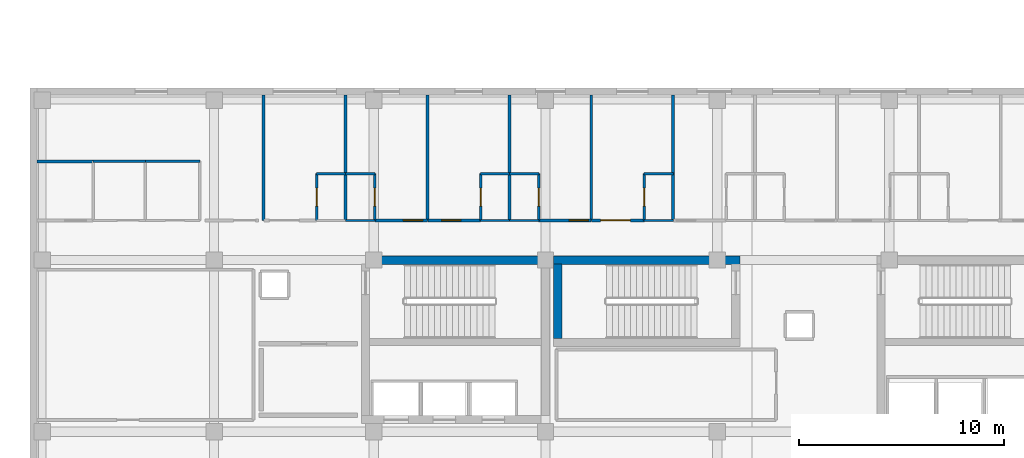
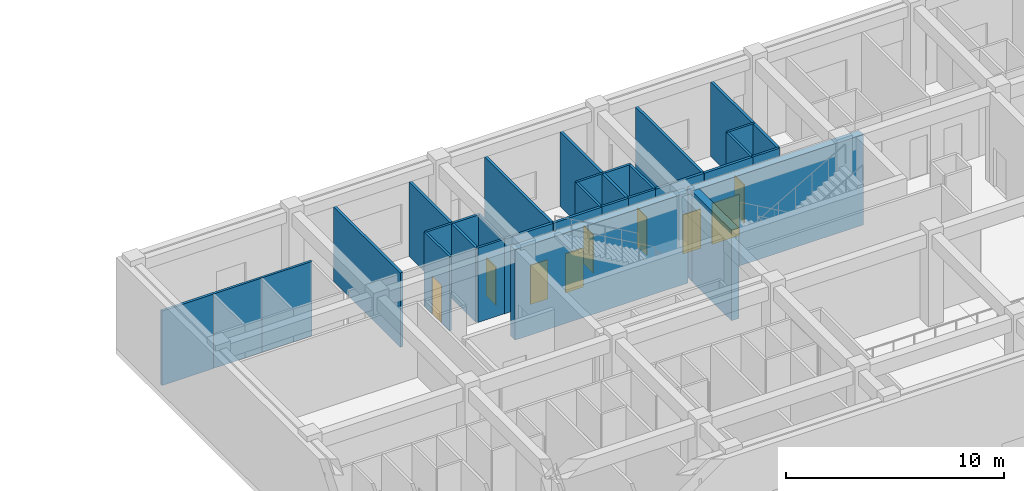
# One storey, part 103 of 139: 30 walls, 9 doors, 9 openings.
"""IFC4 building model written with IfcOpenShell, lengths in metres."""

from ifc_helpers import new_model, si_unit, direction, frame, frame_2d, origin, place, context, subcontext, project, spatial, rectangle, extrude, material, layer, layer_set, type_object, element, fill, save


model = new_model("IFC4")

# Units and contexts
model_context = context("Model", 3, precision=1e-05, world=origin(), true_north=direction((0.0, 1.0)))
body_context = subcontext(model_context, "Body", "Model", "MODEL_VIEW")
ifc_project = project(units=[si_unit("LENGTHUNIT", "METRE"), si_unit("AREAUNIT", "SQUARE_METRE"), si_unit("VOLUMEUNIT", "CUBIC_METRE"), si_unit("PLANEANGLEUNIT", "RADIAN"), si_unit("MASSUNIT", "GRAM", prefix="KILO")], contexts=[model_context])

# Site, building, storey
site_placement = place(None, origin())
site = spatial("IfcSite", under=ifc_project, at=site_placement, CompositionType="ELEMENT")
building_placement = place(site_placement, origin())
building = spatial("IfcBuilding", under=site, at=building_placement, Name="Zayran Congress Hotel", CompositionType="ELEMENT")
storey_placement = place(building_placement, frame((0.0, 0.0, 5.39990234375)))
storey = spatial("IfcBuildingStorey", under=building, at=storey_placement, Name="L01", CompositionType="ELEMENT", Elevation=5.39990234375)

# Walls
ifc_material_1 = material(Name="Concrete C40/50", Category="concrete")
ifc_layer_1 = layer(ifc_material_1, 0.39990234375)
ifc_layer_set_1 = layer_set([ifc_layer_1], Name="Concrete C40/50")
wall_type_1 = type_object("IfcWallType", Name="WL-SH-400", PredefinedType="SHEAR", material=ifc_layer_set_1)
wall_1_placement = place(storey_placement, frame((33.800048828125, 25.5849609375, 0.0), z_axis=(0.0, 0.0, 1.0), x_axis=(-1.0, 0.0, 0.0)))
element("IfcWall", 1, at=wall_1_placement, inside=storey, type_object=wall_type_1, Name="CWALL-C-V5W-L01-N", PredefinedType="SHEAR", context=body_context, shape_type="SweptSolid", body=[
    extrude(rectangle(XDim=9.199951171875, YDim=0.39990234375, at=frame_2d((4.60009765625, 0.0))), origin(), (0.0, 0.0, 1.0), 5.080078125),
])
wall_2_placement = place(storey_placement, frame((43.10009765625, 25.5849609375, 0.0), z_axis=(0.0, 0.0, 1.0), x_axis=(-1.0, 0.0, 0.0)))
element("IfcWall", 2, at=wall_2_placement, inside=storey, type_object=wall_type_1, Name="CWALL-C-V5M-L01-N", PredefinedType="SHEAR", context=body_context, shape_type="SweptSolid", body=[
    extrude(rectangle(XDim=9.10009765625, YDim=0.39990234375, at=frame_2d((4.550048828125, 0.0))), origin(), (0.0, 0.0, 1.0), 5.080078125),
])
wall_3_placement = place(storey_placement, frame((34.199951171875, 25.39990234375, 0.0), z_axis=(0.0, 0.0, 1.0), x_axis=(0.0, -1.0, 0.0)))
element("IfcWall", 3, at=wall_3_placement, inside=storey, type_object=wall_type_1, Name="CWALL-C-V5M-L01-W", PredefinedType="SHEAR", context=body_context, shape_type="SweptSolid", body=[
    extrude(rectangle(XDim=3.639892578125, YDim=0.39990234375, at=frame_2d((1.81982421875, 0.0))), origin(), (0.0, 0.0, 1.0), 5.080078125),
])

# Wall, opening, door
ifc_material_2 = material(Name="Hospitality guestroom acoustic partition", Category="gypsum")
ifc_layer_2 = layer(ifc_material_2, 0.139892578125)
ifc_layer_set_2 = layer_set([ifc_layer_2], Name="Hospitality guestroom acoustic partition")
wall_type_2 = type_object("IfcWallType", Name="WL-PT-140", PredefinedType="PARTITIONING", material=ifc_layer_set_2)
wall_4_placement = place(storey_placement, frame((25.2529296875, 27.530029296875, 0.0), z_axis=(0.0, 0.0, 1.0), x_axis=(1.0, 0.0, 0.0)))
wall_4 = element("IfcWall", 4, at=wall_4_placement, inside=storey, type_object=wall_type_2, Name="IW-L01-0469", PredefinedType="PARTITIONING", context=body_context, shape_type="SweptSolid", body=[
    extrude(rectangle(XDim=2.574951171875, YDim=0.139892578125, at=frame_2d((1.28759765625, 0.0))), origin(), (0.0, 0.0, 1.0), 4.18017578125),
])
opening_1_placement = place(wall_4_placement, frame((1.39794921875, 0.0, 0.0)))
opening_1 = element("IfcOpeningElement", 5, at=opening_1_placement, cuts=wall_4, Name="Opening DR-GR-01", PredefinedType="OPENING", context=body_context, shape_type="SweptSolid", body=[
    extrude(rectangle(XDim=0.93994140625, YDim=2.199951171875, at=frame_2d((0.469970703125, 1.10009765625))), frame((0.0, 0.079833984375, 0.0), z_axis=(0.0, -1.0, 0.0), x_axis=(1.0, 0.0, 0.0)), (0.0, 0.0, 1.0), 0.159912109375),
])
ifc_material_3 = material(Name="Acoustic walnut veneer fire-rated entry door", Category="wood")
door_type_1 = type_object("IfcDoorType", Name="TP-DR-GR-01", OperationType="NOTDEFINED", PredefinedType="DOOR", material=ifc_material_3)
door_1_placement = place(opening_1_placement, origin())
door_1 = element("IfcDoor", 6, at=door_1_placement, inside=storey, type_object=door_type_1, Name="Guest Room L01-20 Door", OperationType="SINGLE_SWING_RIGHT", OverallHeight=2.199951171875, OverallWidth=0.93994140625, PredefinedType="DOOR", context=body_context, shape_type="SweptSolid", body=[
    extrude(rectangle(XDim=0.93994140625, YDim=2.199951171875, at=frame_2d((0.469970703125, 1.10009765625))), frame((0.0, 0.02490234375, 0.0), z_axis=(0.0, -1.0, 0.0), x_axis=(1.0, 0.0, 0.0)), (0.0, 0.0, 1.0), 0.050048828125),
])
fill(opening_1, door_1)

wall_5_placement = place(storey_placement, frame((27.847900390625, 27.530029296875, 0.0), z_axis=(0.0, 0.0, 1.0), x_axis=(1.0, 0.0, 0.0)))
wall_5 = element("IfcWall", 7, at=wall_5_placement, inside=storey, type_object=wall_type_2, Name="IW-L01-0470", PredefinedType="PARTITIONING", context=body_context, shape_type="SweptSolid", body=[
    extrude(rectangle(XDim=2.5751953125, YDim=0.139892578125, at=frame_2d((1.28759765625, 0.0))), origin(), (0.0, 0.0, 1.0), 4.18017578125),
])
opening_2_placement = place(wall_5_placement, frame((0.672119140625, 0.0, 0.0)))
opening_2 = element("IfcOpeningElement", 8, at=opening_2_placement, cuts=wall_5, Name="Opening DR-GR-01", PredefinedType="OPENING", context=body_context, shape_type="SweptSolid", body=[
    extrude(rectangle(XDim=0.93994140625, YDim=2.199951171875, at=frame_2d((0.469970703125, 1.10009765625))), frame((0.0, 0.079833984375, 0.0), z_axis=(0.0, -1.0, 0.0), x_axis=(1.0, 0.0, 0.0)), (0.0, 0.0, 1.0), 0.159912109375),
])
door_2_placement = place(opening_2_placement, origin())
door_2 = element("IfcDoor", 9, at=door_2_placement, inside=storey, type_object=door_type_1, Name="Guest Room L01-21 Door", OperationType="SINGLE_SWING_LEFT", OverallHeight=2.199951171875, OverallWidth=0.93994140625, PredefinedType="DOOR", context=body_context, shape_type="SweptSolid", body=[
    extrude(rectangle(XDim=0.93994140625, YDim=2.199951171875, at=frame_2d((0.469970703125, 1.10009765625))), frame((0.0, 0.02490234375, 0.0), z_axis=(0.0, -1.0, 0.0), x_axis=(1.0, 0.0, 0.0)), (0.0, 0.0, 1.0), 0.050048828125),
])
fill(opening_2, door_2)

wall_6_placement = place(storey_placement, frame((33.260986328125, 27.530029296875, 0.0), z_axis=(0.0, 0.0, 1.0), x_axis=(1.0, 0.0, 0.0)))
wall_6 = element("IfcWall", 10, at=wall_6_placement, inside=storey, type_object=wall_type_2, Name="IW-L01-0471", PredefinedType="PARTITIONING", context=body_context, shape_type="SweptSolid", body=[
    extrude(rectangle(XDim=2.574951171875, YDim=0.139892578125, at=frame_2d((1.28759765625, 0.0))), origin(), (0.0, 0.0, 1.0), 4.18017578125),
])
opening_3_placement = place(wall_6_placement, frame((1.4951171875, 0.0, 0.0)))
opening_3 = element("IfcOpeningElement", 11, at=opening_3_placement, cuts=wall_6, Name="Opening DR-GR-01", PredefinedType="OPENING", context=body_context, shape_type="SweptSolid", body=[
    extrude(rectangle(XDim=0.93994140625, YDim=2.199951171875, at=frame_2d((0.469970703125, 1.10009765625))), frame((0.0, 0.079833984375, 0.0), z_axis=(0.0, -1.0, 0.0), x_axis=(1.0, 0.0, 0.0)), (0.0, 0.0, 1.0), 0.159912109375),
])
door_3_placement = place(opening_3_placement, origin())
door_3 = element("IfcDoor", 12, at=door_3_placement, inside=storey, type_object=door_type_1, Name="Guest Room L01-22 Door", OperationType="SINGLE_SWING_RIGHT", OverallHeight=2.199951171875, OverallWidth=0.93994140625, PredefinedType="DOOR", context=body_context, shape_type="SweptSolid", body=[
    extrude(rectangle(XDim=0.93994140625, YDim=2.199951171875, at=frame_2d((0.469970703125, 1.10009765625))), frame((0.0, 0.02490234375, 0.0), z_axis=(0.0, -1.0, 0.0), x_axis=(1.0, 0.0, 0.0)), (0.0, 0.0, 1.0), 0.050048828125),
])
fill(opening_3, door_3)

wall_7_placement = place(storey_placement, frame((35.85595703125, 27.530029296875, 0.0), z_axis=(0.0, 0.0, 1.0), x_axis=(1.0, 0.0, 0.0)))
wall_7 = element("IfcWall", 13, at=wall_7_placement, inside=storey, type_object=wall_type_2, Name="IW-L01-0472", PredefinedType="PARTITIONING", context=body_context, shape_type="SweptSolid", body=[
    extrude(rectangle(XDim=2.574951171875, YDim=0.139892578125, at=frame_2d((1.28759765625, 0.0))), origin(), (0.0, 0.0, 1.0), 4.18017578125),
])
opening_4_placement = place(wall_7_placement, frame((0.44189453125, 0.0, 0.0)))
opening_4 = element("IfcOpeningElement", 14, at=opening_4_placement, cuts=wall_7, Name="Opening DR-ST-01", PredefinedType="OPENING", context=body_context, shape_type="SweptSolid", body=[
    extrude(rectangle(XDim=1.449951171875, YDim=2.300048828125, at=frame_2d((0.72509765625, 1.14990234375))), frame((0.0, 0.079833984375, 0.0), z_axis=(0.0, -1.0, 0.0), x_axis=(1.0, 0.0, 0.0)), (0.0, 0.0, 1.0), 0.159912109375),
])
ifc_material_4 = material(Name="Double walnut veneer suite entry door", Category="wood")
door_type_2 = type_object("IfcDoorType", Name="TP-DR-ST-01", OperationType="DOUBLE_DOOR_SINGLE_SWING", PredefinedType="DOOR", material=ifc_material_4)
door_4_placement = place(opening_4_placement, origin())
door_4 = element("IfcDoor", 15, at=door_4_placement, inside=storey, type_object=door_type_2, Name="Executive Suite L01-23 Door", OperationType="DOUBLE_DOOR_SINGLE_SWING", OverallHeight=2.300048828125, OverallWidth=1.449951171875, PredefinedType="DOOR", context=body_context, shape_type="SweptSolid", body=[
    extrude(rectangle(XDim=1.449951171875, YDim=2.300048828125, at=frame_2d((0.72509765625, 1.14990234375))), frame((0.0, 0.02490234375, 0.0), z_axis=(0.0, -1.0, 0.0), x_axis=(1.0, 0.0, 0.0)), (0.0, 0.0, 1.0), 0.050048828125),
])
fill(opening_4, door_4)

# Walls
wall_8_placement = place(storey_placement, frame((8.739990234375, 30.419921875, 0.0), z_axis=(0.0, 0.0, 1.0), x_axis=(1.0, 0.0, 0.0)))
element("IfcWall", 16, at=wall_8_placement, inside=storey, type_object=wall_type_2, Name="IW-L01-1759", PredefinedType="PARTITIONING", context=body_context, shape_type="SweptSolid", body=[
    extrude(rectangle(XDim=2.739990234375, YDim=0.139892578125, at=frame_2d((1.3701171875, 0.0))), origin(), (0.0, 0.0, 1.0), 4.18017578125),
])
for number, where, z_axis, x_axis, name in (
    (17, (19.820068359375, 27.52001953125, 0.0), (0.0, 0.0, 1.0), (0.0, 1.0, 0.0), "IW-L01-1760"),
    (18, (23.823974609375, 27.52001953125, 0.0), (0.0, 0.0, 1.0), (0.0, 1.0, 0.0), "IW-L01-1761"),
    (19, (27.827880859375, 27.52001953125, 0.0), (0.0, 0.0, 1.0), (0.0, 1.0, 0.0), "IW-L01-1762"),
    (20, (31.83203125, 27.52001953125, 0.0), (0.0, 0.0, 1.0), (0.0, 1.0, 0.0), "IW-L01-1763"),
    (21, (35.8359375, 27.52001953125, 0.0), (0.0, 0.0, 1.0), (0.0, 1.0, 0.0), "IW-L01-1764"),
    (22, (39.839111328125, 27.52001953125, 0.0), (0.0, 0.0, 1.0), (0.0, 1.0, 0.0), "IW-L01-1765"),
):
    element("IfcWall", number, at=place(storey_placement, frame(where, z_axis=z_axis, x_axis=x_axis)), inside=storey, type_object=wall_type_2, Name=name, PredefinedType="PARTITIONING", context=body_context, shape_type="SweptSolid", body=[
        extrude(rectangle(XDim=6.139892578125, YDim=0.139892578125, at=frame_2d((3.06982421875, 0.0))), origin(), (0.0, 0.0, 1.0), 4.18017578125),
    ])

# Wall, opening, door
ifc_material_5 = material(Name="Moisture-resistant bathroom partition", Category="gypsum")
ifc_layer_3 = layer(ifc_material_5, 0.1201171875)
ifc_layer_set_3 = layer_set([ifc_layer_3], Name="Moisture-resistant bathroom partition")
wall_type_3 = type_object("IfcWallType", Name="WL-PT-120", PredefinedType="PARTITIONING", material=ifc_layer_set_3)
wall_9_placement = place(storey_placement, frame((22.4150390625, 27.52001953125, 0.0), z_axis=(0.0, 0.0, 1.0), x_axis=(0.0, 1.0, 0.0)))
wall_9 = element("IfcWall", 23, at=wall_9_placement, inside=storey, type_object=wall_type_3, Name="IW-L01-0035", PredefinedType="PARTITIONING", context=body_context, shape_type="SweptSolid", body=[
    extrude(rectangle(XDim=2.31005859375, YDim=0.1201171875, at=frame_2d((1.155029296875, 0.0))), origin(), (0.0, 0.0, 1.0), 4.18017578125),
])
opening_5_placement = place(wall_9_placement, frame((0.715087890625, 0.0, 0.0)))
opening_5 = element("IfcOpeningElement", 24, at=opening_5_placement, cuts=wall_9, Name="Opening DR-BT-01", PredefinedType="OPENING", context=body_context, shape_type="SweptSolid", body=[
    extrude(rectangle(XDim=0.8798828125, YDim=2.14990234375, at=frame_2d((0.43994140625, 1.074951171875))), frame((0.0, 0.070068359375, 0.0), z_axis=(0.0, -1.0, 0.0), x_axis=(1.0, 0.0, 0.0)), (0.0, 0.0, 1.0), 0.14013671875),
])
ifc_material_6 = material(Name="Moisture-resistant oak en-suite door", Category="wood")
door_type_3 = type_object("IfcDoorType", Name="TP-DR-BT-01", OperationType="NOTDEFINED", PredefinedType="DOOR", material=ifc_material_6)
door_5_placement = place(opening_5_placement, origin())
door_5 = element("IfcDoor", 25, at=door_5_placement, inside=storey, type_object=door_type_3, Name="En-Suite Bathroom L01-19 Door", OperationType="SINGLE_SWING_RIGHT", OverallHeight=2.14990234375, OverallWidth=0.8798828125, PredefinedType="DOOR", context=body_context, shape_type="SweptSolid", body=[
    extrude(rectangle(XDim=0.8798828125, YDim=2.14990234375, at=frame_2d((0.43994140625, 1.074951171875))), frame((0.0, 0.02490234375, 0.0), z_axis=(0.0, -1.0, 0.0), x_axis=(1.0, 0.0, 0.0)), (0.0, 0.0, 1.0), 0.050048828125),
])
fill(opening_5, door_5)

wall_10_placement = place(storey_placement, frame((25.2529296875, 27.52001953125, 0.0), z_axis=(0.0, 0.0, 1.0), x_axis=(0.0, 1.0, 0.0)))
wall_10 = element("IfcWall", 26, at=wall_10_placement, inside=storey, type_object=wall_type_3, Name="IW-L01-0036", PredefinedType="PARTITIONING", context=body_context, shape_type="SweptSolid", body=[
    extrude(rectangle(XDim=2.31005859375, YDim=0.1201171875, at=frame_2d((1.155029296875, 0.0))), origin(), (0.0, 0.0, 1.0), 4.18017578125),
])
opening_6_placement = place(wall_10_placement, frame((0.715087890625, 0.0, 0.0)))
opening_6 = element("IfcOpeningElement", 27, at=opening_6_placement, cuts=wall_10, Name="Opening DR-BT-01", PredefinedType="OPENING", context=body_context, shape_type="SweptSolid", body=[
    extrude(rectangle(XDim=0.8798828125, YDim=2.14990234375, at=frame_2d((0.43994140625, 1.074951171875))), frame((0.0, 0.070068359375, 0.0), z_axis=(0.0, -1.0, 0.0), x_axis=(1.0, 0.0, 0.0)), (0.0, 0.0, 1.0), 0.14013671875),
])
door_6_placement = place(opening_6_placement, origin())
door_6 = element("IfcDoor", 28, at=door_6_placement, inside=storey, type_object=door_type_3, Name="En-Suite Bathroom L01-20 Door", OperationType="SINGLE_SWING_LEFT", OverallHeight=2.14990234375, OverallWidth=0.8798828125, PredefinedType="DOOR", context=body_context, shape_type="SweptSolid", body=[
    extrude(rectangle(XDim=0.8798828125, YDim=2.14990234375, at=frame_2d((0.43994140625, 1.074951171875))), frame((0.0, 0.02490234375, 0.0), z_axis=(0.0, -1.0, 0.0), x_axis=(1.0, 0.0, 0.0)), (0.0, 0.0, 1.0), 0.050048828125),
])
fill(opening_6, door_6)

wall_11_placement = place(storey_placement, frame((30.423095703125, 27.52001953125, 0.0), z_axis=(0.0, 0.0, 1.0), x_axis=(0.0, 1.0, 0.0)))
wall_11 = element("IfcWall", 29, at=wall_11_placement, inside=storey, type_object=wall_type_3, Name="IW-L01-0037", PredefinedType="PARTITIONING", context=body_context, shape_type="SweptSolid", body=[
    extrude(rectangle(XDim=2.31005859375, YDim=0.1201171875, at=frame_2d((1.155029296875, 0.0))), origin(), (0.0, 0.0, 1.0), 4.18017578125),
])
opening_7_placement = place(wall_11_placement, frame((0.715087890625, 0.0, 0.0)))
opening_7 = element("IfcOpeningElement", 30, at=opening_7_placement, cuts=wall_11, Name="Opening DR-BT-01", PredefinedType="OPENING", context=body_context, shape_type="SweptSolid", body=[
    extrude(rectangle(XDim=0.8798828125, YDim=2.14990234375, at=frame_2d((0.43994140625, 1.074951171875))), frame((0.0, 0.070068359375, 0.0), z_axis=(0.0, -1.0, 0.0), x_axis=(1.0, 0.0, 0.0)), (0.0, 0.0, 1.0), 0.14013671875),
])
door_7_placement = place(opening_7_placement, origin())
door_7 = element("IfcDoor", 31, at=door_7_placement, inside=storey, type_object=door_type_3, Name="En-Suite Bathroom L01-21 Door", OperationType="SINGLE_SWING_RIGHT", OverallHeight=2.14990234375, OverallWidth=0.8798828125, PredefinedType="DOOR", context=body_context, shape_type="SweptSolid", body=[
    extrude(rectangle(XDim=0.8798828125, YDim=2.14990234375, at=frame_2d((0.43994140625, 1.074951171875))), frame((0.0, 0.02490234375, 0.0), z_axis=(0.0, -1.0, 0.0), x_axis=(1.0, 0.0, 0.0)), (0.0, 0.0, 1.0), 0.050048828125),
])
fill(opening_7, door_7)

wall_12_placement = place(storey_placement, frame((33.260986328125, 27.52001953125, 0.0), z_axis=(0.0, 0.0, 1.0), x_axis=(0.0, 1.0, 0.0)))
wall_12 = element("IfcWall", 32, at=wall_12_placement, inside=storey, type_object=wall_type_3, Name="IW-L01-0038", PredefinedType="PARTITIONING", context=body_context, shape_type="SweptSolid", body=[
    extrude(rectangle(XDim=2.31005859375, YDim=0.1201171875, at=frame_2d((1.155029296875, 0.0))), origin(), (0.0, 0.0, 1.0), 4.18017578125),
])
opening_8_placement = place(wall_12_placement, frame((0.715087890625, 0.0, 0.0)))
opening_8 = element("IfcOpeningElement", 33, at=opening_8_placement, cuts=wall_12, Name="Opening DR-BT-01", PredefinedType="OPENING", context=body_context, shape_type="SweptSolid", body=[
    extrude(rectangle(XDim=0.8798828125, YDim=2.14990234375, at=frame_2d((0.43994140625, 1.074951171875))), frame((0.0, 0.070068359375, 0.0), z_axis=(0.0, -1.0, 0.0), x_axis=(1.0, 0.0, 0.0)), (0.0, 0.0, 1.0), 0.14013671875),
])
door_8_placement = place(opening_8_placement, origin())
door_8 = element("IfcDoor", 34, at=door_8_placement, inside=storey, type_object=door_type_3, Name="En-Suite Bathroom L01-22 Door", OperationType="SINGLE_SWING_LEFT", OverallHeight=2.14990234375, OverallWidth=0.8798828125, PredefinedType="DOOR", context=body_context, shape_type="SweptSolid", body=[
    extrude(rectangle(XDim=0.8798828125, YDim=2.14990234375, at=frame_2d((0.43994140625, 1.074951171875))), frame((0.0, 0.02490234375, 0.0), z_axis=(0.0, -1.0, 0.0), x_axis=(1.0, 0.0, 0.0)), (0.0, 0.0, 1.0), 0.050048828125),
])
fill(opening_8, door_8)

wall_13_placement = place(storey_placement, frame((38.430908203125, 27.52001953125, 0.0), z_axis=(0.0, 0.0, 1.0), x_axis=(0.0, 1.0, 0.0)))
wall_13 = element("IfcWall", 35, at=wall_13_placement, inside=storey, type_object=wall_type_3, Name="IW-L01-0039", PredefinedType="PARTITIONING", context=body_context, shape_type="SweptSolid", body=[
    extrude(rectangle(XDim=2.31005859375, YDim=0.1201171875, at=frame_2d((1.155029296875, 0.0))), origin(), (0.0, 0.0, 1.0), 4.18017578125),
])
opening_9_placement = place(wall_13_placement, frame((0.715087890625, 0.0, 0.0)))
opening_9 = element("IfcOpeningElement", 36, at=opening_9_placement, cuts=wall_13, Name="Opening DR-BT-01", PredefinedType="OPENING", context=body_context, shape_type="SweptSolid", body=[
    extrude(rectangle(XDim=0.8798828125, YDim=2.14990234375, at=frame_2d((0.43994140625, 1.074951171875))), frame((0.0, 0.070068359375, 0.0), z_axis=(0.0, -1.0, 0.0), x_axis=(1.0, 0.0, 0.0)), (0.0, 0.0, 1.0), 0.14013671875),
])
door_9_placement = place(opening_9_placement, origin())
door_9 = element("IfcDoor", 37, at=door_9_placement, inside=storey, type_object=door_type_3, Name="En-Suite Bathroom L01-23 Door", OperationType="SINGLE_SWING_RIGHT", OverallHeight=2.14990234375, OverallWidth=0.8798828125, PredefinedType="DOOR", context=body_context, shape_type="SweptSolid", body=[
    extrude(rectangle(XDim=0.8798828125, YDim=2.14990234375, at=frame_2d((0.43994140625, 1.074951171875))), frame((0.0, 0.02490234375, 0.0), z_axis=(0.0, -1.0, 0.0), x_axis=(1.0, 0.0, 0.0)), (0.0, 0.0, 1.0), 0.050048828125),
])
fill(opening_9, door_9)

# Walls
for number, where, z_axis, x_axis, name in (
    (38, (22.405029296875, 29.820068359375, 0.0), (0.0, 0.0, 1.0), (1.0, 0.0, 0.0), "IW-L01-0938"),
    (39, (23.833984375, 27.530029296875, 0.0), (0.0, 0.0, 1.0), (1.0, 0.0, 0.0), "IW-L01-0939"),
    (40, (23.833984375, 29.820068359375, 0.0), (0.0, 0.0, 1.0), (1.0, 0.0, 0.0), "IW-L01-0940"),
    (41, (30.4130859375, 27.530029296875, 0.0), (0.0, 0.0, 1.0), (1.0, 0.0, 0.0), "IW-L01-0941"),
    (42, (30.4130859375, 29.820068359375, 0.0), (0.0, 0.0, 1.0), (1.0, 0.0, 0.0), "IW-L01-0942"),
    (43, (31.842041015625, 27.530029296875, 0.0), (0.0, 0.0, 1.0), (1.0, 0.0, 0.0), "IW-L01-0943"),
    (44, (31.842041015625, 29.820068359375, 0.0), (0.0, 0.0, 1.0), (1.0, 0.0, 0.0), "IW-L01-0944"),
):
    element("IfcWall", number, at=place(storey_placement, frame(where, z_axis=z_axis, x_axis=x_axis)), inside=storey, type_object=wall_type_3, Name=name, PredefinedType="PARTITIONING", context=body_context, shape_type="SweptSolid", body=[
        extrude(rectangle(XDim=1.428955078125, YDim=0.1201171875, at=frame_2d((0.71435546875, 0.0))), origin(), (0.0, 0.0, 1.0), 4.18017578125),
    ])
for number, where, z_axis, x_axis, name in (
    (45, (38.4208984375, 27.530029296875, 0.0), (0.0, 0.0, 1.0), (1.0, 0.0, 0.0), "IW-L01-0945"),
    (46, (38.4208984375, 29.820068359375, 0.0), (0.0, 0.0, 1.0), (1.0, 0.0, 0.0), "IW-L01-0946"),
):
    element("IfcWall", number, at=place(storey_placement, frame(where, z_axis=z_axis, x_axis=x_axis)), inside=storey, type_object=wall_type_3, Name=name, PredefinedType="PARTITIONING", context=body_context, shape_type="SweptSolid", body=[
        extrude(rectangle(XDim=1.42822265625, YDim=0.1201171875, at=frame_2d((0.714111328125, 0.0))), origin(), (0.0, 0.0, 1.0), 4.18017578125),
    ])
wall_14_placement = place(storey_placement, frame((11.47998046875, 30.419921875, 0.0), z_axis=(0.0, 0.0, 1.0), x_axis=(1.0, 0.0, 0.0)))
element("IfcWall", 47, at=wall_14_placement, inside=storey, type_object=wall_type_3, Name="IW-L01-1564", PredefinedType="PARTITIONING", context=body_context, shape_type="SweptSolid", body=[
    extrude(rectangle(XDim=2.56005859375, YDim=0.1201171875, at=frame_2d((1.280029296875, 0.0))), origin(), (0.0, 0.0, 1.0), 4.18017578125),
])
wall_15_placement = place(storey_placement, frame((14.0400390625, 30.419921875, 0.0), z_axis=(0.0, 0.0, 1.0), x_axis=(1.0, 0.0, 0.0)))
element("IfcWall", 48, at=wall_15_placement, inside=storey, type_object=wall_type_3, Name="IW-L01-1567", PredefinedType="PARTITIONING", context=body_context, shape_type="SweptSolid", body=[
    extrude(rectangle(XDim=2.659912109375, YDim=0.1201171875, at=frame_2d((1.330078125, 0.0))), origin(), (0.0, 0.0, 1.0), 4.18017578125),
])

save(model, "model.ifc")
